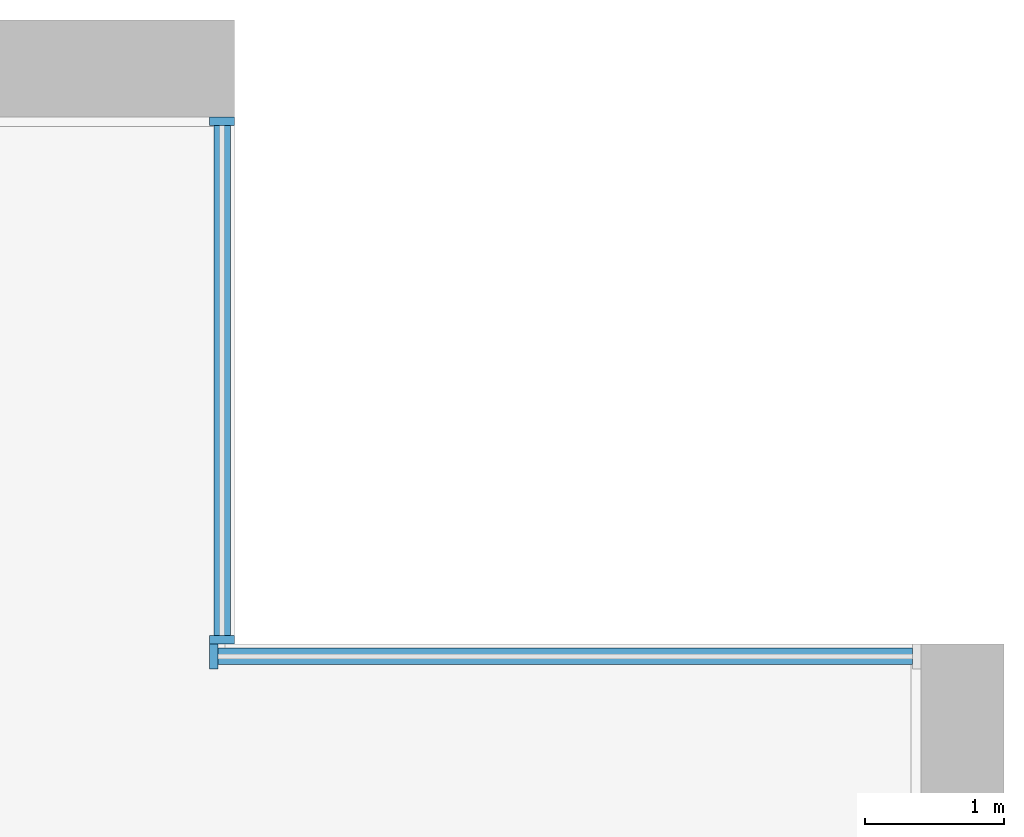
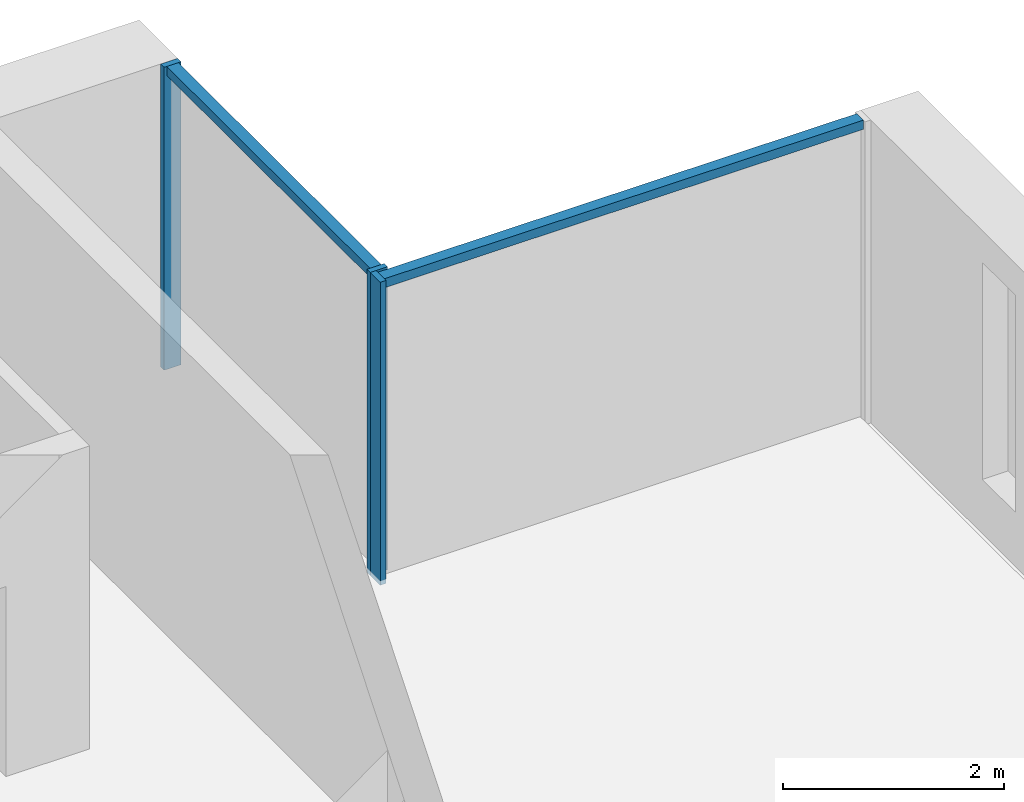
# One storey, part 5 of 17: 5 members, 2 elements without a shape of their own.
"""IFC4 building model written with IfcOpenShell, lengths in metres."""

from ifc_helpers import new_model, si_unit, direction, frame, origin, origin_2d, place, context, subcontext, project, spatial, rectangle, extrude, material, material_profile, profile_set, type_object, element, aggregate, save


model = new_model("IFC4")

# Units and contexts
model_context = context("Model", 3, precision=1e-05, world=origin(), true_north=direction((0.0, 1.0)))
body_context = subcontext(model_context, "Body", "Model", "MODEL_VIEW")
ifc_project = project(units=[si_unit("LENGTHUNIT", "METRE"), si_unit("AREAUNIT", "SQUARE_METRE"), si_unit("VOLUMEUNIT", "CUBIC_METRE"), si_unit("PLANEANGLEUNIT", "RADIAN"), si_unit("MASSUNIT", "GRAM", prefix="KILO")], contexts=[model_context])

# Site, building, storey
site_placement = place(None, origin())
site = spatial("IfcSite", under=ifc_project, at=site_placement, CompositionType="ELEMENT")
building_placement = place(site_placement, origin())
building = spatial("IfcBuilding", under=site, at=building_placement, Name="Calvaro Tower", CompositionType="ELEMENT")
storey_placement = place(building_placement, frame((0.0, 0.0, 196.75)))
storey = spatial("IfcBuildingStorey", under=building, at=storey_placement, Name="L49", CompositionType="ELEMENT", Elevation=196.75)

# Curtain wall, members
ifc_material_1 = material(Name="Anodised aluminium", Category="aluminium")
curtain_wall_type = type_object("IfcCurtainWallType", Name="Office curtain wall, upper zone", PredefinedType="NOTDEFINED", material=ifc_material_1)
curtain_wall_1_placement = place(storey_placement, origin())
curtain_wall_1 = element("IfcCurtainWall", 1, at=curtain_wall_1_placement, inside=storey, type_object=curtain_wall_type, Name="CW3 corner curtain wall", PredefinedType="NOTDEFINED")
ifc_material_2 = material(Name="Anodised aluminium", Category="aluminium")
ifc_material_profile_1 = material_profile(ifc_material_2, rectangle(XDim=0.179931640625, YDim=0.06005859375, at=origin_2d()), Name="Mullion S3 60 x 180")
ifc_profile_set_1 = profile_set([ifc_material_profile_1], Name="Anodised aluminium")
member_type_1 = type_object("IfcMemberType", Name="Mullion S3 60 x 180", PredefinedType="MULLION", material=ifc_profile_set_1)
member_1_placement = place(storey_placement, frame((66.360107421875, 41.530029296875, 0.0), z_axis=(0.0, 0.0, 1.0), x_axis=(-1.0, 0.0, 0.0)))
member_1 = element("IfcMember", 2, at=member_1_placement, type_object=member_type_1, Name="CW3 mullion 1", PredefinedType="MULLION", context=body_context, shape_type="SweptSolid", body=[
    extrude(rectangle(XDim=0.179931640625, YDim=0.06005859375, at=origin_2d()), origin(), (0.0, 0.0, 1.0), 3.35009765625),
])
member_2_placement = place(storey_placement, frame((66.360107421875, 45.27001953125, 0.0), z_axis=(0.0, 0.0, 1.0), x_axis=(-1.0, 0.0, 0.0)))
member_2 = element("IfcMember", 3, at=member_2_placement, type_object=member_type_1, Name="CW3 mullion 2", PredefinedType="MULLION", context=body_context, shape_type="SweptSolid", body=[
    extrude(rectangle(XDim=0.179931640625, YDim=0.06005859375, at=origin_2d()), origin(), (0.0, 0.0, 1.0), 3.35009765625),
])

# Curtain wall, member
curtain_wall_2_placement = place(storey_placement, origin())
curtain_wall_2 = element("IfcCurtainWall", 4, at=curtain_wall_2_placement, inside=storey, type_object=curtain_wall_type, Name="CW3 corner curtain wall", PredefinedType="NOTDEFINED")
member_3_placement = place(storey_placement, frame((66.300048828125, 41.409912109375, 0.0), z_axis=(0.0, 0.0, 1.0), x_axis=(0.0, 1.0, 0.0)))
member_3 = element("IfcMember", 5, at=member_3_placement, type_object=member_type_1, Name="CW3 mullion 1", PredefinedType="MULLION", context=body_context, shape_type="SweptSolid", body=[
    extrude(rectangle(XDim=0.179931640625, YDim=0.06005859375, at=origin_2d()), origin(), (0.0, 0.0, 1.0), 3.35009765625),
])

# Member
ifc_material_3 = material(Name="Anodised aluminium", Category="aluminium")
ifc_material_profile_2 = material_profile(ifc_material_3, rectangle(XDim=0.1201171875, YDim=0.10009765625, at=origin_2d()), Name="Transom S3 100 x 120")
ifc_profile_set_2 = profile_set([ifc_material_profile_2], Name="Anodised aluminium")
member_type_2 = type_object("IfcMemberType", Name="Transom S3 100 x 120", PredefinedType="USERDEFINED", material=ifc_profile_set_2)
member_4_placement = place(storey_placement, frame((66.360107421875, 41.56005859375, 3.300048828125), z_axis=(0.0, 1.0, 0.0), x_axis=(-1.0, 0.0, 0.0)))
member_4 = element("IfcMember", 6, at=member_4_placement, type_object=member_type_2, Name="CW3 transom 1.1", ObjectType="TRANSOM", PredefinedType="USERDEFINED", context=body_context, shape_type="SweptSolid", body=[
    extrude(rectangle(XDim=0.1201171875, YDim=0.10009765625, at=origin_2d()), origin(), (0.0, 0.0, 1.0), 3.679931640625),
])

aggregate(curtain_wall_1, [member_1, member_2, member_4])

member_5_placement = place(storey_placement, frame((66.330078125, 41.409912109375, 3.300048828125), z_axis=(1.0, 0.0, 0.0), x_axis=(0.0, 1.0, 0.0)))
member_5 = element("IfcMember", 7, at=member_5_placement, type_object=member_type_2, Name="CW3 transom 1.1", ObjectType="TRANSOM", PredefinedType="USERDEFINED", context=body_context, shape_type="SweptSolid", body=[
    extrude(rectangle(XDim=0.1201171875, YDim=0.10009765625, at=origin_2d()), origin(), (0.0, 0.0, 1.0), 5.010009765625),
])

aggregate(curtain_wall_2, [member_3, member_5])

save(model, "model.ifc")
